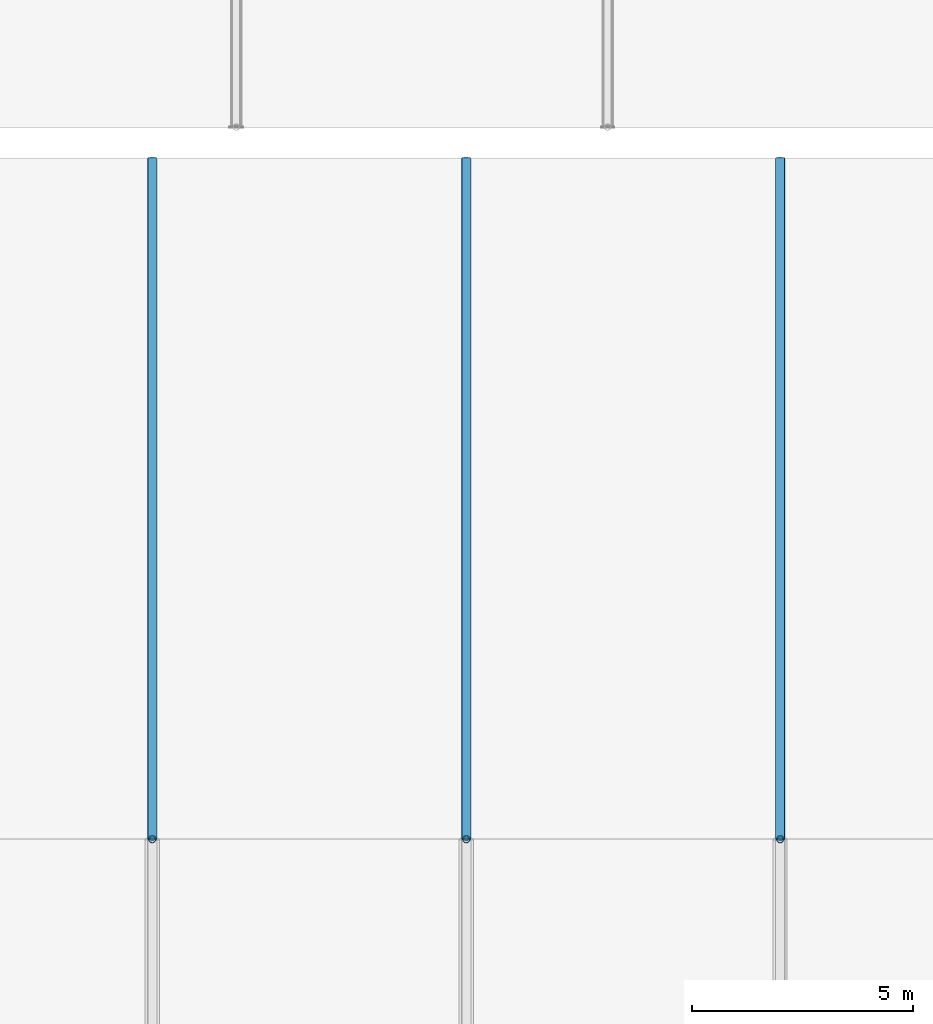
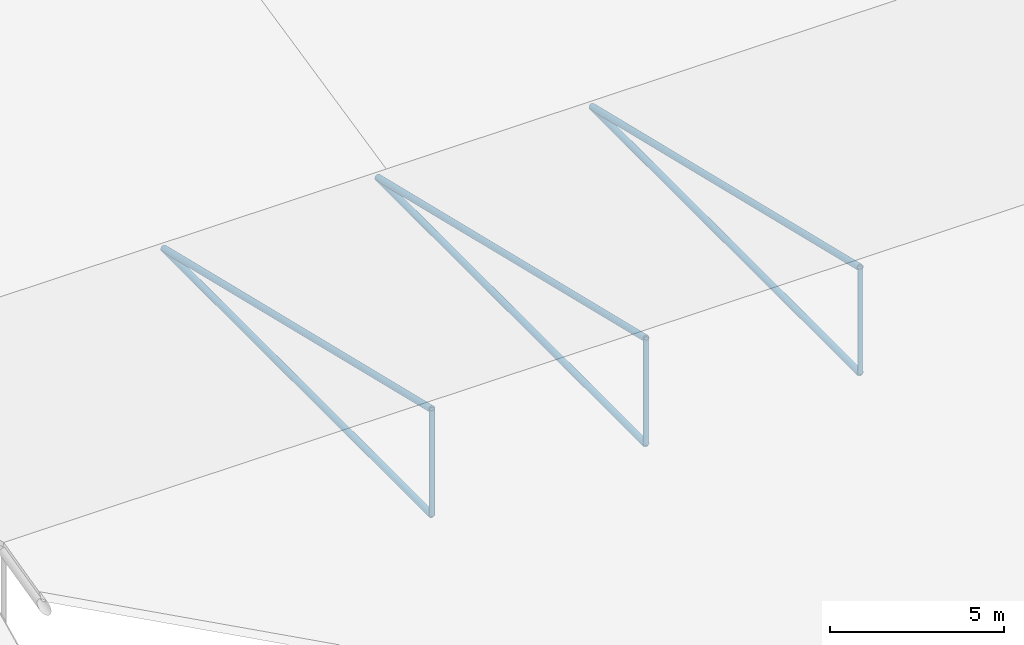
# One storey, part 65 of 194: 9 members.
"""IFC4 building model written with IfcOpenShell, lengths in metres."""

from ifc_helpers import new_model, si_unit, direction, frame, origin, origin_2d, place, context, subcontext, project, spatial, hollow_circle, extrude, material, material_profile, profile_set, type_object, element, save


model = new_model("IFC4")

# Units and contexts
model_context = context("Model", 3, precision=1e-05, world=origin(), true_north=direction((0.0, 1.0)))
body_context = subcontext(model_context, "Body", "Model", "MODEL_VIEW")
ifc_project = project(units=[si_unit("LENGTHUNIT", "METRE"), si_unit("AREAUNIT", "SQUARE_METRE"), si_unit("VOLUMEUNIT", "CUBIC_METRE"), si_unit("PLANEANGLEUNIT", "RADIAN"), si_unit("MASSUNIT", "GRAM", prefix="KILO")], contexts=[model_context])

# Site, building, storey
site_placement = place(None, origin())
site = spatial("IfcSite", under=ifc_project, at=site_placement, CompositionType="ELEMENT")
building_placement = place(site_placement, origin())
building = spatial("IfcBuilding", under=site, at=building_placement, Name="Kazenagashi Tramway Depot", CompositionType="ELEMENT")
storey_placement = place(building_placement, frame((0.0, 0.0, 23.7)))
storey = spatial("IfcBuildingStorey", under=building, at=storey_placement, Name="ROOF", CompositionType="ELEMENT", Elevation=23.7)

# Members
ifc_material = material(Name="Steel STK490", Category="steel")
ifc_material_profile_1 = material_profile(ifc_material, hollow_circle(Radius=0.10815, WallThickness=0.0082, at=origin_2d()), Name="CHS-216.3x8.2")
ifc_profile_set_1 = profile_set([ifc_material_profile_1], Name="Steel STK490")
member_type_1 = type_object("IfcMemberType", Name="TC-02", PredefinedType="CHORD", material=ifc_profile_set_1)
member_1_placement = place(storey_placement, frame((160.5, 53.9, -4.9), z_axis=(0.0, 0.972329961031, -0.233611743884), x_axis=(-1.0, 0.0, 0.0)))
element("IfcMember", 1, at=member_1_placement, inside=storey, type_object=member_type_1, Name="Roof Truss TC-02 MEM-1528", PredefinedType="CHORD", context=body_context, shape_type="SweptSolid", body=[
    extrude(hollow_circle(Radius=0.10815, WallThickness=0.0082, at=origin_2d()), origin(), (0.0, 0.0, 1.0), 15.838245),
])
member_2_placement = place(storey_placement, frame((160.5, 53.9, -8.6), z_axis=(0.0, 1.0, 0.0), x_axis=(-1.0, 0.0, 0.0)))
element("IfcMember", 2, at=member_2_placement, inside=storey, type_object=member_type_1, Name="Roof Truss TC-02 MEM-1530", PredefinedType="CHORD", context=body_context, shape_type="SweptSolid", body=[
    extrude(hollow_circle(Radius=0.10815, WallThickness=0.0082, at=origin_2d()), origin(), (0.0, 0.0, 1.0), 15.4),
])
member_3_placement = place(storey_placement, frame((167.6, 53.9, -4.9), z_axis=(0.0, 0.972329961031, -0.233611743884), x_axis=(-1.0, 0.0, 0.0)))
element("IfcMember", 3, at=member_3_placement, inside=storey, type_object=member_type_1, Name="Roof Truss TC-02 MEM-1533", PredefinedType="CHORD", context=body_context, shape_type="SweptSolid", body=[
    extrude(hollow_circle(Radius=0.10815, WallThickness=0.0082, at=origin_2d()), origin(), (0.0, 0.0, 1.0), 15.838245),
])
member_4_placement = place(storey_placement, frame((167.6, 53.9, -8.6), z_axis=(0.0, 1.0, 0.0), x_axis=(-1.0, 0.0, 0.0)))
element("IfcMember", 4, at=member_4_placement, inside=storey, type_object=member_type_1, Name="Roof Truss TC-02 MEM-1535", PredefinedType="CHORD", context=body_context, shape_type="SweptSolid", body=[
    extrude(hollow_circle(Radius=0.10815, WallThickness=0.0082, at=origin_2d()), origin(), (0.0, 0.0, 1.0), 15.4),
])
member_5_placement = place(storey_placement, frame((174.7, 53.9, -4.9), z_axis=(0.0, 0.972329961031, -0.233611743884), x_axis=(-1.0, 0.0, 0.0)))
element("IfcMember", 5, at=member_5_placement, inside=storey, type_object=member_type_1, Name="Roof Truss TC-02 MEM-1538", PredefinedType="CHORD", context=body_context, shape_type="SweptSolid", body=[
    extrude(hollow_circle(Radius=0.10815, WallThickness=0.0082, at=origin_2d()), origin(), (0.0, 0.0, 1.0), 15.838245),
])
member_6_placement = place(storey_placement, frame((174.7, 53.9, -8.6), z_axis=(0.0, 1.0, 0.0), x_axis=(-1.0, 0.0, 0.0)))
element("IfcMember", 6, at=member_6_placement, inside=storey, type_object=member_type_1, Name="Roof Truss TC-02 MEM-1540", PredefinedType="CHORD", context=body_context, shape_type="SweptSolid", body=[
    extrude(hollow_circle(Radius=0.10815, WallThickness=0.0082, at=origin_2d()), origin(), (0.0, 0.0, 1.0), 15.4),
])
ifc_material_profile_2 = material_profile(ifc_material, hollow_circle(Radius=0.0826, WallThickness=0.0071, at=origin_2d()), Name="CHS-165.2x7.1")
ifc_profile_set_2 = profile_set([ifc_material_profile_2], Name="Steel STK490")
member_type_2 = type_object("IfcMemberType", Name="TS-01", PredefinedType="STRUT", material=ifc_profile_set_2)
for number, where, z_axis, x_axis, name in (
    (7, (160.5, 53.9, -8.6), (0.0, 0.0, 1.0), (1.0, 0.0, 0.0), "Roof Truss TS-01 MEM-1531"),
    (8, (167.6, 53.9, -8.6), (0.0, 0.0, 1.0), (1.0, 0.0, 0.0), "Roof Truss TS-01 MEM-1536"),
    (9, (174.7, 53.9, -8.6), (0.0, 0.0, 1.0), (1.0, 0.0, 0.0), "Roof Truss TS-01 MEM-1541"),
):
    element("IfcMember", number, at=place(storey_placement, frame(where, z_axis=z_axis, x_axis=x_axis)), inside=storey, type_object=member_type_2, Name=name, PredefinedType="STRUT", context=body_context, shape_type="SweptSolid", body=[
        extrude(hollow_circle(Radius=0.0826, WallThickness=0.0071, at=origin_2d()), origin(), (0.0, 0.0, 1.0), 3.7),
    ])

save(model, "model.ifc")
